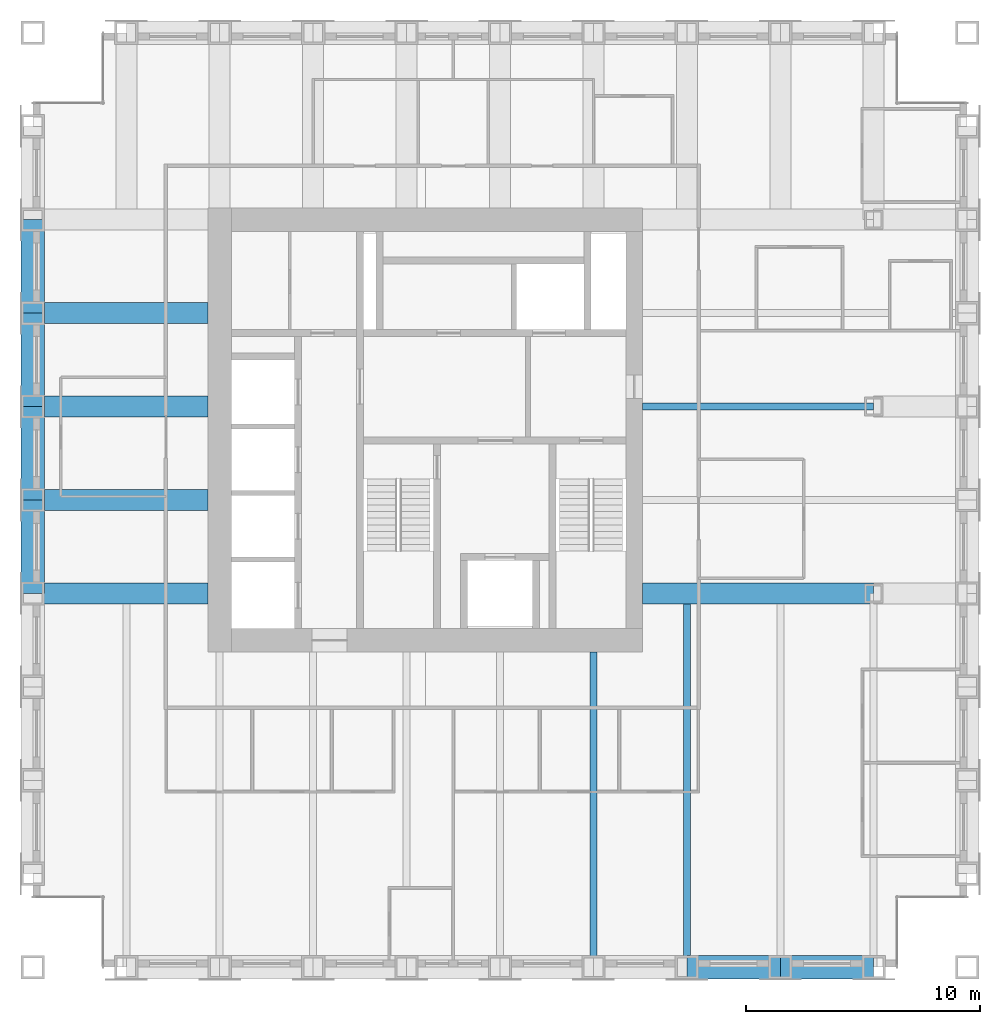
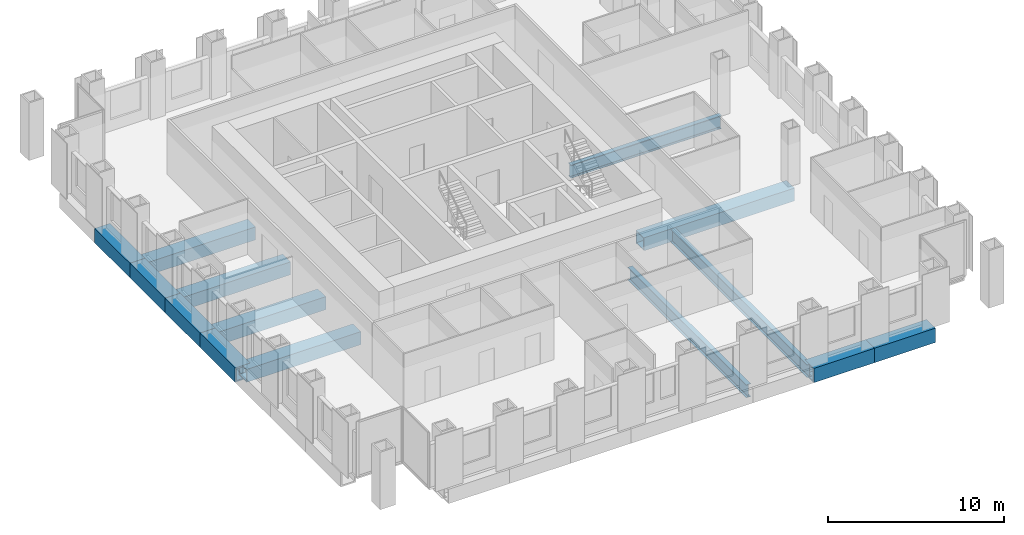
# One storey, part 3 of 13: 14 beams.
"""IFC4 building model written with IfcOpenShell, lengths in metres."""

import ifcopenshell
import ifcopenshell.guid

model = None  # the IFC model being written
_history = None  # IfcOwnerHistory: only IFC2X3 demands one
_inside = {}  # id of a spatial element -> (the spatial element, [elements in it])
_under = {}  # id of a project, library or spatial element -> (it, [spatial elements below it])
_declared = {}  # id of a project -> (the project, [libraries it declares])
_typed = {}  # id of a type object -> (the type object, [elements of that type])
_made_of = {}  # id of a material, layer set ... -> (it, [elements and type objects made of it])


def new_model(schema):
    """Start an empty IFC model of exactly this schema.

    Asked for "IFC4X3", IfcOpenShell would pick the latest addendum, in which some entities
    have other attributes; the version numbers below select the first issue.
    IFC2X3 requires an IfcOwnerHistory on every rooted entity: one is made here for all.
    """
    global model, _history
    if schema == "IFC4X3":
        model = ifcopenshell.file(schema_version=(4, 3, 0, 0))
    else:
        model = ifcopenshell.file(schema=schema)
    _inside.clear()
    _under.clear()
    _declared.clear()
    _typed.clear()
    _made_of.clear()
    _history = None
    if model.schema == "IFC2X3":
        org = make("IfcOrganization", Name="unknown")
        user = make(
            "IfcPersonAndOrganization",
            ThePerson=make("IfcPerson", FamilyName="unknown"),
            TheOrganization=org,
        )
        app = make(
            "IfcApplication",
            ApplicationDeveloper=org,
            Version="unknown",
            ApplicationFullName="unknown",
            ApplicationIdentifier="unknown",
        )
        _history = make(
            "IfcOwnerHistory",
            OwningUser=user,
            OwningApplication=app,
            ChangeAction="ADDED",
            CreationDate=0,
        )
    return model


def make(cls, **values):
    """One entity of the class cls with the attributes given. An attribute that is None is left unset."""
    return model.create_entity(
        cls, **{name: value for name, value in values.items() if value is not None}
    )


def rooted(cls, **values):
    """An entity with a GlobalId (a new one), such as an element, a storey or a relation."""
    return make(cls, GlobalId=ifcopenshell.guid.new(), OwnerHistory=_history, **values)


def si_unit(unit_type, name, prefix=None):
    """IfcSIUnit, for example si_unit("LENGTHUNIT", "METRE", prefix="MILLI")."""
    return make("IfcSIUnit", UnitType=unit_type, Prefix=prefix, Name=name)


def assignment(units):
    """IfcUnitAssignment: the units of a project."""
    return None if units is None else make("IfcUnitAssignment", Units=units)


def point(xyz):
    """IfcCartesianPoint."""
    return None if xyz is None else make("IfcCartesianPoint", Coordinates=xyz)


def direction(xyz):
    """IfcDirection."""
    return None if xyz is None else make("IfcDirection", DirectionRatios=xyz)


def frame(location, z_axis=None, x_axis=None):
    """IfcAxis2Placement3D, a coordinate frame: its origin and axes. An axis left out is left unset."""
    return make(
        "IfcAxis2Placement3D",
        Location=point(location),
        Axis=direction(z_axis),
        RefDirection=direction(x_axis),
    )


def frame_2d(location, x_axis=None):
    """IfcAxis2Placement2D, a coordinate frame in the plane: its origin and x axis."""
    return make(
        "IfcAxis2Placement2D", Location=point(location), RefDirection=direction(x_axis)
    )


def origin():
    """The frame at (0, 0, 0) with its axes left unset."""
    return frame((0.0, 0.0, 0.0))


def origin_2d():
    """The frame at (0, 0) in the plane with its x axis left unset."""
    return frame_2d((0.0, 0.0))


def place(relative_to, where):
    """IfcLocalPlacement: puts the frame where relative to a parent placement (None: the world)."""
    return make(
        "IfcLocalPlacement", PlacementRelTo=relative_to, RelativePlacement=where
    )


def context(
    kind, dimensions, precision=None, world=None, true_north=None, identifier=None
):
    """IfcGeometricRepresentationContext, for example the 3D "Model" context."""
    return make(
        "IfcGeometricRepresentationContext",
        ContextIdentifier=identifier,
        ContextType=kind,
        CoordinateSpaceDimension=dimensions,
        Precision=precision,
        WorldCoordinateSystem=world,
        TrueNorth=true_north,
    )


def subcontext(parent, identifier, kind, view, scale=None):
    """IfcGeometricRepresentationSubContext, for example "Body" below "Model"."""
    return make(
        "IfcGeometricRepresentationSubContext",
        ContextIdentifier=identifier,
        ContextType=kind,
        ParentContext=parent,
        TargetScale=scale,
        TargetView=view,
    )


def project(units=None, contexts=None):
    """IfcProject with its units and contexts."""
    return rooted(
        "IfcProject",
        Name="project",
        RepresentationContexts=contexts,
        UnitsInContext=assignment(units),
    )


def spatial(cls, under=None, at=None, **own):
    """A site, building, storey or space (cls), placed at a placement, below another one or the project."""
    s = rooted(cls, ObjectPlacement=at, **own)
    if under is not None:
        _under.setdefault(under.id(), (under, []))[1].append(s)
    return s


def profile(cls, at=None, kind="AREA", **sizes):
    """A parametric profile (cls). Its sizes go by their IFC names, for example OverallWidth=200.0."""
    return make(cls, ProfileType=kind, Position=at, **sizes)


def hollow_rectangle(**sizes):
    """IfcRectangleHollowProfileDef."""
    return profile("IfcRectangleHollowProfileDef", **sizes)


def i_section(**sizes):
    """IfcIShapeProfileDef."""
    return profile("IfcIShapeProfileDef", **sizes)


def extrude(swept, where, along, depth):
    """IfcExtrudedAreaSolid: the profile swept, set in the frame where, extruded along a direction by depth."""
    return make(
        "IfcExtrudedAreaSolid",
        SweptArea=swept,
        Position=where,
        ExtrudedDirection=direction(along),
        Depth=depth,
    )


def shape(context_of_items, identifier, shape_type, items):
    """IfcShapeRepresentation: the items that make up one representation, for example the "Body"."""
    return make(
        "IfcShapeRepresentation",
        ContextOfItems=context_of_items,
        RepresentationIdentifier=identifier,
        RepresentationType=shape_type,
        Items=items,
    )


def material(Name=None, Category=None):
    """IfcMaterial."""
    return make("IfcMaterial", Name=Name, Category=Category)


def material_profile(
    of_material, cross_section, Name=None, Category=None, Priority=None
):
    """IfcMaterialProfile: a cross section and its material."""
    return make(
        "IfcMaterialProfile",
        Name=Name,
        Material=of_material,
        Profile=cross_section,
        Priority=Priority,
        Category=Category,
    )


def profile_set(profiles, Name=None, composite=None):
    """IfcMaterialProfileSet."""
    return make(
        "IfcMaterialProfileSet",
        Name=Name,
        MaterialProfiles=profiles,
        CompositeProfile=composite,
    )


def made_of(thing, what):
    """Note that an element or type object is made of a material, layer set ...; save() writes the relation."""
    if what is not None:
        _made_of.setdefault(what.id(), (what, []))[1].append(thing)
    return thing


def type_object(cls, material=None, **own):
    """A type object (cls), such as IfcWallType, which elements share."""
    return made_of(rooted(cls, **own), material)


def element(
    cls,
    number,
    at=None,
    inside=None,
    cuts=None,
    type_object=None,
    material=None,
    context=None,
    identifier="Body",
    shape_type=None,
    held_by="IfcProductDefinitionShape",
    body=None,
    shapes=None,
    **own,
):
    """One element of the class cls, such as IfcWall. Its Tag is "e" and its number.

    at: its placement. inside: the storey or other place that contains it. cuts: it is an
    opening in that element (IfcRelVoidsElement). A single representation is given by context,
    identifier, shape_type and body (its items); several are given by shapes. held_by: the class
    of the entity that holds the representations. save() writes the other relations.
    """
    e = rooted(cls, Tag="e%d" % number, ObjectPlacement=at, **own)
    if body is not None:
        shapes = [shape(context, identifier, shape_type, body)]
    if shapes is not None:
        e.Representation = make(held_by, Representations=shapes)
    if inside is not None:
        _inside.setdefault(inside.id(), (inside, []))[1].append(e)
    if cuts is not None:
        rooted(
            "IfcRelVoidsElement", RelatingBuildingElement=cuts, RelatedOpeningElement=e
        )
    if type_object is not None:
        _typed.setdefault(type_object.id(), (type_object, []))[1].append(e)
    return made_of(e, material)


def aggregate(whole, parts):
    """IfcRelAggregates: a whole, such as a stair, and the parts it consists of."""
    return rooted("IfcRelAggregates", RelatingObject=whole, RelatedObjects=parts)


def save(model, path):
    """Write the relations noted so far, then the file.

    IfcRelAggregates (storeys below a building ...), IfcRelContainedInSpatialStructure (elements
    in a storey), IfcRelDefinesByType, IfcRelAssociatesMaterial and IfcRelDeclares: one each for
    every whole, place, type object, material and project.
    """
    for whole, parts in _under.values():
        aggregate(whole, parts)
    for where, things in _inside.values():
        rooted(
            "IfcRelContainedInSpatialStructure",
            RelatedElements=things,
            RelatingStructure=where,
        )
    for kind, things in _typed.values():
        rooted("IfcRelDefinesByType", RelatedObjects=things, RelatingType=kind)
    for what, things in _made_of.values():
        rooted("IfcRelAssociatesMaterial", RelatedObjects=things, RelatingMaterial=what)
    for by, libraries in _declared.values():
        rooted("IfcRelDeclares", RelatingContext=by, RelatedDefinitions=libraries)
    model.write(path)


model = new_model("IFC4")

# Units and contexts
model_context = context("Model", 3, precision=1e-05, world=origin(), true_north=direction((0.0, 1.0)))
body_context = subcontext(model_context, "Body", "Model", "MODEL_VIEW")
ifc_project = project(units=[si_unit("LENGTHUNIT", "METRE"), si_unit("AREAUNIT", "SQUARE_METRE"), si_unit("VOLUMEUNIT", "CUBIC_METRE"), si_unit("PLANEANGLEUNIT", "RADIAN"), si_unit("MASSUNIT", "GRAM", prefix="KILO")], contexts=[model_context])

# Site, building, storey
site_placement = place(None, origin())
site = spatial("IfcSite", under=ifc_project, at=site_placement, CompositionType="ELEMENT")
building_placement = place(site_placement, origin())
building = spatial("IfcBuilding", under=site, at=building_placement, Name="Rimbunsela Tower", CompositionType="ELEMENT")
storey_placement = place(building_placement, frame((0.0, 0.0, 254.199951171875)))
storey = spatial("IfcBuildingStorey", under=building, at=storey_placement, Name="L61", CompositionType="ELEMENT", Elevation=254.199951171875)

# Beams
ifc_material_1 = material(Name="Steel BJ 55 (fy 410 MPa)", Category="steel")
ifc_material_profile_1 = material_profile(ifc_material_1, hollow_rectangle(XDim=1.0, YDim=1.0, WallThickness=0.10009765625, at=origin_2d()), Name="BOX 1000x1000x100")
ifc_profile_set_1 = profile_set([ifc_material_profile_1], Name="Steel BJ 55 (fy 410 MPa)")
beam_type_1 = type_object("IfcBeamType", Name="Beam BOX 1000x1000x100", PredefinedType="BEAM", material=ifc_profile_set_1)
for number, where, z_axis, x_axis, name in (
    (1, (10.0, 20.0, -0.64990234375), (0.0, 1.0, 0.0), (-1.0, 0.0, 0.0), "Beam B3 L61"),
    (2, (10.0, 24.0, -0.64990234375), (0.0, 1.0, 0.0), (-1.0, 0.0, 0.0), "Beam B3 L61"),
    (3, (10.0, 28.0, -0.64990234375), (0.0, 1.0, 0.0), (-1.0, 0.0, 0.0), "Beam B3 L61"),
    (4, (10.0, 32.0, -0.64990234375), (0.0, 1.0, 0.0), (-1.0, 0.0, 0.0), "Beam B3 L61"),
    (5, (38.0, 4.0, -0.64990234375), (1.0, 0.0, 0.0), (0.0, 1.0, 0.0), "Beam B3 L61"),
    (6, (42.0, 4.0, -0.64990234375), (1.0, 0.0, 0.0), (0.0, 1.0, 0.0), "Beam B3 L61"),
):
    element("IfcBeam", number, at=place(storey_placement, frame(where, z_axis=z_axis, x_axis=x_axis)), inside=storey, type_object=beam_type_1, Name=name, PredefinedType="BEAM", context=body_context, shape_type="SweptSolid", body=[
        extrude(hollow_rectangle(XDim=1.0, YDim=1.0, WallThickness=0.10009765625, at=origin_2d()), origin(), (0.0, 0.0, 1.0), 4.0),
    ])
ifc_material_2 = material(Name="Steel BJ 55 (fy 410 MPa)", Category="steel")
ifc_material_profile_2 = material_profile(ifc_material_2, hollow_rectangle(XDim=0.89990234375, YDim=0.89990234375, WallThickness=0.06005859375, at=origin_2d()), Name="BOX 900x900x60")
ifc_profile_set_2 = profile_set([ifc_material_profile_2], Name="Steel BJ 55 (fy 410 MPa)")
beam_type_2 = type_object("IfcBeamType", Name="Beam BOX 900x900x60", PredefinedType="BEAM", material=ifc_profile_set_2)
for number, where, z_axis, x_axis, name in (
    (7, (10.0, 20.0, -0.599853515625), (1.0, 0.0, 0.0), (0.0, 1.0, 0.0), "Beam B1 L61"),
    (8, (10.0, 24.0, -0.599853515625), (1.0, 0.0, 0.0), (0.0, 1.0, 0.0), "Beam B1 L61"),
    (9, (10.0, 28.0, -0.599853515625), (1.0, 0.0, 0.0), (0.0, 1.0, 0.0), "Beam B1 L61"),
    (10, (10.0, 32.0, -0.599853515625), (1.0, 0.0, 0.0), (0.0, 1.0, 0.0), "Beam B1 L61"),
):
    element("IfcBeam", number, at=place(storey_placement, frame(where, z_axis=z_axis, x_axis=x_axis)), inside=storey, type_object=beam_type_2, Name=name, PredefinedType="BEAM", context=body_context, shape_type="SweptSolid", body=[
        extrude(hollow_rectangle(XDim=0.89990234375, YDim=0.89990234375, WallThickness=0.06005859375, at=origin_2d()), origin(), (0.0, 0.0, 1.0), 7.5),
    ])
beam_1_placement = place(storey_placement, frame((36.10009765625, 20.0, -0.599853515625), z_axis=(1.0, 0.0, 0.0), x_axis=(0.0, 1.0, 0.0)))
element("IfcBeam", 11, at=beam_1_placement, inside=storey, type_object=beam_type_2, Name="Beam B1 L61", PredefinedType="BEAM", context=body_context, shape_type="SweptSolid", body=[
    extrude(hollow_rectangle(XDim=0.89990234375, YDim=0.89990234375, WallThickness=0.06005859375, at=origin_2d()), origin(), (0.0, 0.0, 1.0), 9.89990234375),
])
ifc_material_3 = material(Name="Steel BJ 55 (fy 410 MPa)", Category="steel")
ifc_material_profile_3 = material_profile(ifc_material_3, i_section(OverallWidth=0.300048828125, OverallDepth=0.89990234375, WebThickness=0.01611328125, FlangeThickness=0.028076171875, FilletRadius=0.028076171875, at=origin_2d()), Name="H 900x300x16x28")
ifc_profile_set_3 = profile_set([ifc_material_profile_3], Name="Steel BJ 55 (fy 410 MPa)")
beam_type_3 = type_object("IfcBeamType", Name="Beam H 900x300x16x28", PredefinedType="BEAM", material=ifc_profile_set_3)
beam_2_placement = place(storey_placement, frame((34.0, 4.0, -0.599853515625), z_axis=(0.0, 1.0, 0.0), x_axis=(-1.0, 0.0, 0.0)))
element("IfcBeam", 12, at=beam_2_placement, inside=storey, type_object=beam_type_3, Name="Beam B2 L61", PredefinedType="BEAM", context=body_context, shape_type="SweptSolid", body=[
    extrude(i_section(OverallWidth=0.300048828125, OverallDepth=0.89990234375, WebThickness=0.01611328125, FlangeThickness=0.028076171875, FilletRadius=0.028076171875, at=origin_2d()), origin(), (0.0, 0.0, 1.0), 13.5),
])
beam_3_placement = place(storey_placement, frame((36.10009765625, 28.0, -0.599853515625), z_axis=(1.0, 0.0, 0.0), x_axis=(0.0, 1.0, 0.0)))
element("IfcBeam", 13, at=beam_3_placement, inside=storey, type_object=beam_type_3, Name="Beam B2 L61", PredefinedType="BEAM", context=body_context, shape_type="SweptSolid", body=[
    extrude(i_section(OverallWidth=0.300048828125, OverallDepth=0.89990234375, WebThickness=0.01611328125, FlangeThickness=0.028076171875, FilletRadius=0.028076171875, at=origin_2d()), origin(), (0.0, 0.0, 1.0), 9.89990234375),
])
beam_4_placement = place(storey_placement, frame((38.0, 4.0, -0.599853515625), z_axis=(0.0, 1.0, 0.0), x_axis=(-1.0, 0.0, 0.0)))
element("IfcBeam", 14, at=beam_4_placement, inside=storey, type_object=beam_type_3, Name="Beam B2 L61", PredefinedType="BEAM", context=body_context, shape_type="SweptSolid", body=[
    extrude(i_section(OverallWidth=0.300048828125, OverallDepth=0.89990234375, WebThickness=0.01611328125, FlangeThickness=0.028076171875, FilletRadius=0.028076171875, at=origin_2d()), origin(), (0.0, 0.0, 1.0), 15.550048828125),
])

save(model, "model.ifc")
